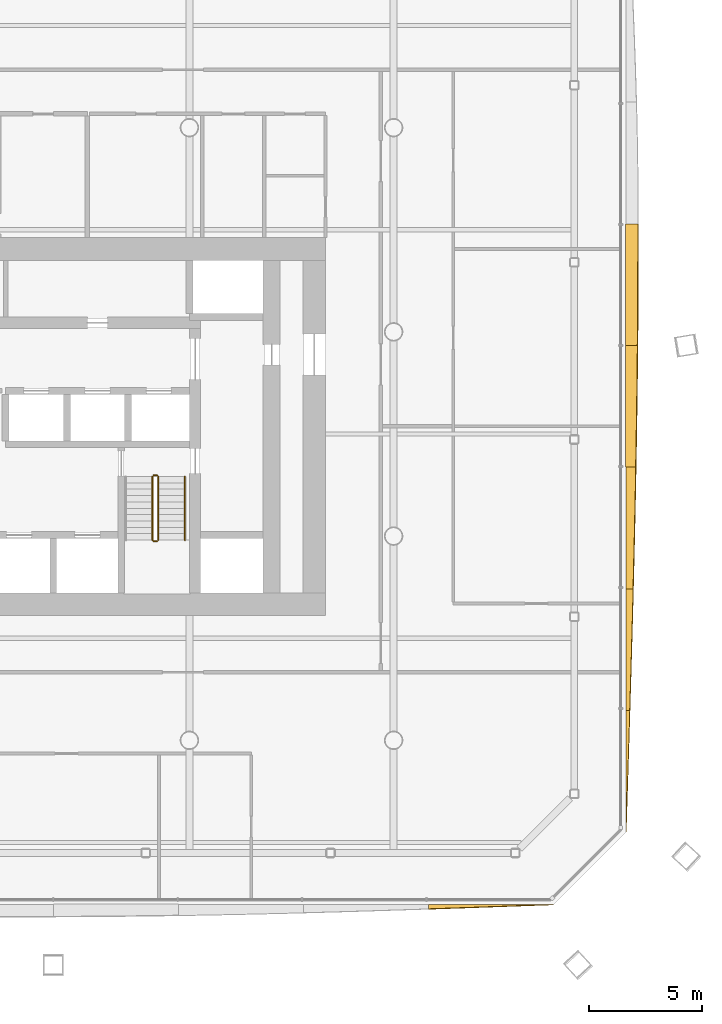
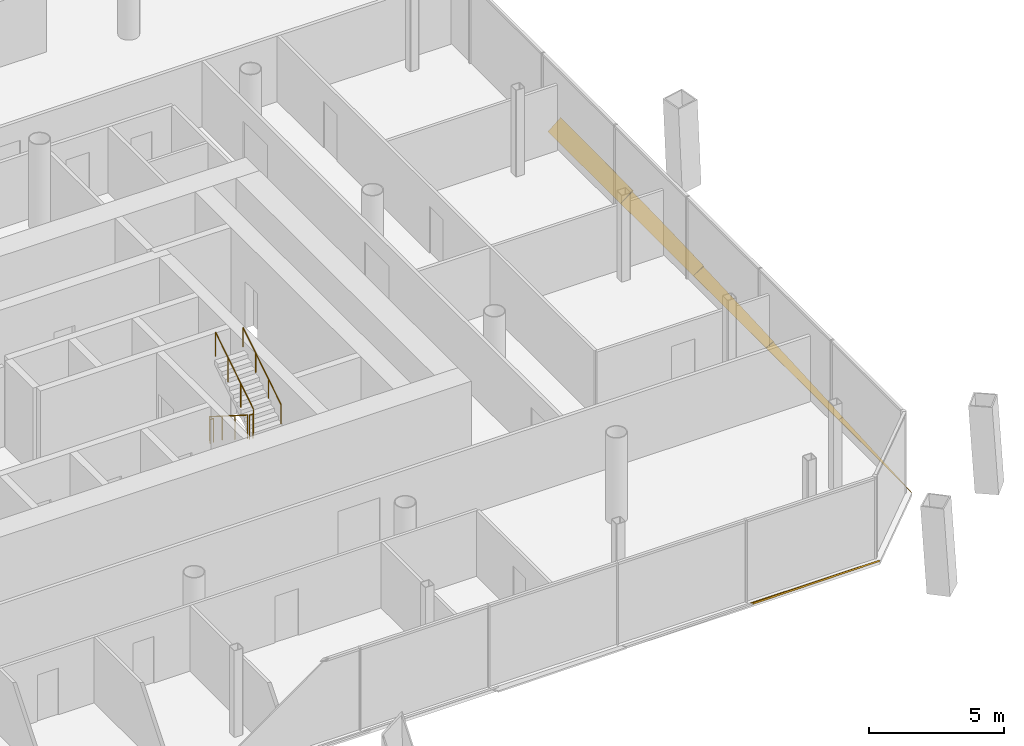
# One storey, part 17 of 19: 6 shading devices, 5 railings.
"""IFC4 building model written with IfcOpenShell, lengths in metres."""

import ifcopenshell
import ifcopenshell.guid

model = None  # the IFC model being written
_history = None  # IfcOwnerHistory: only IFC2X3 demands one
_inside = {}  # id of a spatial element -> (the spatial element, [elements in it])
_under = {}  # id of a project, library or spatial element -> (it, [spatial elements below it])
_declared = {}  # id of a project -> (the project, [libraries it declares])
_typed = {}  # id of a type object -> (the type object, [elements of that type])
_made_of = {}  # id of a material, layer set ... -> (it, [elements and type objects made of it])


def new_model(schema):
    """Start an empty IFC model of exactly this schema.

    Asked for "IFC4X3", IfcOpenShell would pick the latest addendum, in which some entities
    have other attributes; the version numbers below select the first issue.
    IFC2X3 requires an IfcOwnerHistory on every rooted entity: one is made here for all.
    """
    global model, _history
    if schema == "IFC4X3":
        model = ifcopenshell.file(schema_version=(4, 3, 0, 0))
    else:
        model = ifcopenshell.file(schema=schema)
    _inside.clear()
    _under.clear()
    _declared.clear()
    _typed.clear()
    _made_of.clear()
    _history = None
    if model.schema == "IFC2X3":
        org = make("IfcOrganization", Name="unknown")
        user = make(
            "IfcPersonAndOrganization",
            ThePerson=make("IfcPerson", FamilyName="unknown"),
            TheOrganization=org,
        )
        app = make(
            "IfcApplication",
            ApplicationDeveloper=org,
            Version="unknown",
            ApplicationFullName="unknown",
            ApplicationIdentifier="unknown",
        )
        _history = make(
            "IfcOwnerHistory",
            OwningUser=user,
            OwningApplication=app,
            ChangeAction="ADDED",
            CreationDate=0,
        )
    return model


def make(cls, **values):
    """One entity of the class cls with the attributes given. An attribute that is None is left unset."""
    return model.create_entity(
        cls, **{name: value for name, value in values.items() if value is not None}
    )


def rooted(cls, **values):
    """An entity with a GlobalId (a new one), such as an element, a storey or a relation."""
    return make(cls, GlobalId=ifcopenshell.guid.new(), OwnerHistory=_history, **values)


def si_unit(unit_type, name, prefix=None):
    """IfcSIUnit, for example si_unit("LENGTHUNIT", "METRE", prefix="MILLI")."""
    return make("IfcSIUnit", UnitType=unit_type, Prefix=prefix, Name=name)


def assignment(units):
    """IfcUnitAssignment: the units of a project."""
    return None if units is None else make("IfcUnitAssignment", Units=units)


def point(xyz):
    """IfcCartesianPoint."""
    return None if xyz is None else make("IfcCartesianPoint", Coordinates=xyz)


def direction(xyz):
    """IfcDirection."""
    return None if xyz is None else make("IfcDirection", DirectionRatios=xyz)


def frame(location, z_axis=None, x_axis=None):
    """IfcAxis2Placement3D, a coordinate frame: its origin and axes. An axis left out is left unset."""
    return make(
        "IfcAxis2Placement3D",
        Location=point(location),
        Axis=direction(z_axis),
        RefDirection=direction(x_axis),
    )


def frame_2d(location, x_axis=None):
    """IfcAxis2Placement2D, a coordinate frame in the plane: its origin and x axis."""
    return make(
        "IfcAxis2Placement2D", Location=point(location), RefDirection=direction(x_axis)
    )


def origin():
    """The frame at (0, 0, 0) with its axes left unset."""
    return frame((0.0, 0.0, 0.0))


def origin_2d():
    """The frame at (0, 0) in the plane with its x axis left unset."""
    return frame_2d((0.0, 0.0))


def place(relative_to, where):
    """IfcLocalPlacement: puts the frame where relative to a parent placement (None: the world)."""
    return make(
        "IfcLocalPlacement", PlacementRelTo=relative_to, RelativePlacement=where
    )


def context(
    kind, dimensions, precision=None, world=None, true_north=None, identifier=None
):
    """IfcGeometricRepresentationContext, for example the 3D "Model" context."""
    return make(
        "IfcGeometricRepresentationContext",
        ContextIdentifier=identifier,
        ContextType=kind,
        CoordinateSpaceDimension=dimensions,
        Precision=precision,
        WorldCoordinateSystem=world,
        TrueNorth=true_north,
    )


def subcontext(parent, identifier, kind, view, scale=None):
    """IfcGeometricRepresentationSubContext, for example "Body" below "Model"."""
    return make(
        "IfcGeometricRepresentationSubContext",
        ContextIdentifier=identifier,
        ContextType=kind,
        ParentContext=parent,
        TargetScale=scale,
        TargetView=view,
    )


def project(units=None, contexts=None):
    """IfcProject with its units and contexts."""
    return rooted(
        "IfcProject",
        Name="project",
        RepresentationContexts=contexts,
        UnitsInContext=assignment(units),
    )


def spatial(cls, under=None, at=None, **own):
    """A site, building, storey or space (cls), placed at a placement, below another one or the project."""
    s = rooted(cls, ObjectPlacement=at, **own)
    if under is not None:
        _under.setdefault(under.id(), (under, []))[1].append(s)
    return s


def polyline(points):
    """IfcPolyline through the points."""
    return make("IfcPolyline", Points=[point(p) for p in points])


def profile(cls, at=None, kind="AREA", **sizes):
    """A parametric profile (cls). Its sizes go by their IFC names, for example OverallWidth=200.0."""
    return make(cls, ProfileType=kind, Position=at, **sizes)


def circle(**sizes):
    """IfcCircleProfileDef."""
    return profile("IfcCircleProfileDef", **sizes)


def outline(outer, holes=None, kind="AREA"):
    """IfcArbitraryClosedProfileDef: a profile drawn as a closed curve; with holes, ...WithVoids."""
    if holes is None:
        return make("IfcArbitraryClosedProfileDef", ProfileType=kind, OuterCurve=outer)
    return make(
        "IfcArbitraryProfileDefWithVoids",
        ProfileType=kind,
        OuterCurve=outer,
        InnerCurves=holes,
    )


def extrude(swept, where, along, depth):
    """IfcExtrudedAreaSolid: the profile swept, set in the frame where, extruded along a direction by depth."""
    return make(
        "IfcExtrudedAreaSolid",
        SweptArea=swept,
        Position=where,
        ExtrudedDirection=direction(along),
        Depth=depth,
    )


def shape(context_of_items, identifier, shape_type, items):
    """IfcShapeRepresentation: the items that make up one representation, for example the "Body"."""
    return make(
        "IfcShapeRepresentation",
        ContextOfItems=context_of_items,
        RepresentationIdentifier=identifier,
        RepresentationType=shape_type,
        Items=items,
    )


def material(Name=None, Category=None):
    """IfcMaterial."""
    return make("IfcMaterial", Name=Name, Category=Category)


def layer(
    of_material, thickness, ventilated=None, Name=None, Category=None, Priority=None
):
    """IfcMaterialLayer: one layer of a wall or slab, of a material (None: an air gap)."""
    return make(
        "IfcMaterialLayer",
        Material=of_material,
        LayerThickness=thickness,
        IsVentilated=ventilated,
        Name=Name,
        Category=Category,
        Priority=Priority,
    )


def layer_set(layers, Name=None):
    """IfcMaterialLayerSet."""
    return make("IfcMaterialLayerSet", MaterialLayers=layers, LayerSetName=Name)


def made_of(thing, what):
    """Note that an element or type object is made of a material, layer set ...; save() writes the relation."""
    if what is not None:
        _made_of.setdefault(what.id(), (what, []))[1].append(thing)
    return thing


def type_object(cls, material=None, **own):
    """A type object (cls), such as IfcWallType, which elements share."""
    return made_of(rooted(cls, **own), material)


def element(
    cls,
    number,
    at=None,
    inside=None,
    cuts=None,
    type_object=None,
    material=None,
    context=None,
    identifier="Body",
    shape_type=None,
    held_by="IfcProductDefinitionShape",
    body=None,
    shapes=None,
    **own,
):
    """One element of the class cls, such as IfcWall. Its Tag is "e" and its number.

    at: its placement. inside: the storey or other place that contains it. cuts: it is an
    opening in that element (IfcRelVoidsElement). A single representation is given by context,
    identifier, shape_type and body (its items); several are given by shapes. held_by: the class
    of the entity that holds the representations. save() writes the other relations.
    """
    e = rooted(cls, Tag="e%d" % number, ObjectPlacement=at, **own)
    if body is not None:
        shapes = [shape(context, identifier, shape_type, body)]
    if shapes is not None:
        e.Representation = make(held_by, Representations=shapes)
    if inside is not None:
        _inside.setdefault(inside.id(), (inside, []))[1].append(e)
    if cuts is not None:
        rooted(
            "IfcRelVoidsElement", RelatingBuildingElement=cuts, RelatedOpeningElement=e
        )
    if type_object is not None:
        _typed.setdefault(type_object.id(), (type_object, []))[1].append(e)
    return made_of(e, material)


def aggregate(whole, parts):
    """IfcRelAggregates: a whole, such as a stair, and the parts it consists of."""
    return rooted("IfcRelAggregates", RelatingObject=whole, RelatedObjects=parts)


def save(model, path):
    """Write the relations noted so far, then the file.

    IfcRelAggregates (storeys below a building ...), IfcRelContainedInSpatialStructure (elements
    in a storey), IfcRelDefinesByType, IfcRelAssociatesMaterial and IfcRelDeclares: one each for
    every whole, place, type object, material and project.
    """
    for whole, parts in _under.values():
        aggregate(whole, parts)
    for where, things in _inside.values():
        rooted(
            "IfcRelContainedInSpatialStructure",
            RelatedElements=things,
            RelatingStructure=where,
        )
    for kind, things in _typed.values():
        rooted("IfcRelDefinesByType", RelatedObjects=things, RelatingType=kind)
    for what, things in _made_of.values():
        rooted("IfcRelAssociatesMaterial", RelatedObjects=things, RelatingMaterial=what)
    for by, libraries in _declared.values():
        rooted("IfcRelDeclares", RelatingContext=by, RelatedDefinitions=libraries)
    model.write(path)


model = new_model("IFC4")

# Units and contexts
model_context = context("Model", 3, precision=1e-05, world=origin(), true_north=direction((0.0, 1.0)))
body_context = subcontext(model_context, "Body", "Model", "MODEL_VIEW")
ifc_project = project(units=[si_unit("LENGTHUNIT", "METRE"), si_unit("AREAUNIT", "SQUARE_METRE"), si_unit("VOLUMEUNIT", "CUBIC_METRE"), si_unit("PLANEANGLEUNIT", "RADIAN"), si_unit("MASSUNIT", "GRAM", prefix="KILO")], contexts=[model_context])

# Site, building, storey
site_placement = place(None, origin())
site = spatial("IfcSite", under=ifc_project, at=site_placement, CompositionType="ELEMENT")
building_placement = place(site_placement, origin())
building = spatial("IfcBuilding", under=site, at=building_placement, Name="Tskaro Facet Tower", CompositionType="ELEMENT")
storey_placement = place(building_placement, frame((0.0, 0.0, 77.699951171875)))
storey = spatial("IfcBuildingStorey", under=building, at=storey_placement, Name="L18", CompositionType="ELEMENT", Elevation=77.699951171875)

# Shading devices
ifc_material_1 = material(Name="Bronze anodised aluminium 6063-T6", Category="aluminium")
ifc_layer = layer(ifc_material_1, 0.06005859375, Name="Bronze anodised aluminium 6063-T6")
ifc_layer_set = layer_set([ifc_layer], Name="Bronze anodised aluminium 6063-T6")
shading_device_type = type_object("IfcShadingDeviceType", Name="Bronze sun blade (FN1)", PredefinedType="USERDEFINED", material=ifc_layer_set)
shading_device_1_placement = place(storey_placement, frame((19.5322265625, -25.23095703125, 0.052001953125), z_axis=(-2.228743e-06, 0.500139383152, 0.865944915924), x_axis=(0.999999999998, 1.114682e-06, 1.929969e-06)))
element("IfcShadingDevice", 1, at=shading_device_1_placement, inside=storey, type_object=shading_device_type, Name="Fin blade south 8", ObjectType="FIN", PredefinedType="USERDEFINED", context=body_context, shape_type="SweptSolid", body=[
    extrude(outline(polyline([(0.0, 0.0), (5.510742187486313, 0.0), (4.822021484404667, -0.028768214118787258), (4.133056640698022, -0.057536428237574516), (3.4443359376163762, -0.08630464235636176), (2.7553710937106866, -0.114739339800569), (2.0666503907021356, -0.14296262491178632), (1.3776855468695401, -0.17085239334842361), (0.6889648434628999, -0.1984086451104809), (-2.4461417658610945e-11, -0.2255420722065584), (0.0, 0.0)])), origin(), (0.0, 0.0, -1.0), 0.06005859375),
])
shading_device_2_placement = place(storey_placement, frame((28.240478515625, -22.04296875, 0.056396484375), z_axis=(-0.342123804388, 2.1286716e-05, 0.939654884528), x_axis=(7.282692e-06, 0.999999999773, -2.0002167e-05)))
element("IfcShadingDevice", 2, at=shading_device_2_placement, inside=storey, type_object=shading_device_type, Name="Fin blade east 1", ObjectType="FIN", PredefinedType="USERDEFINED", context=body_context, shape_type="SweptSolid", body=[
    extrude(outline(polyline([(0.0, 0.0), (5.361328123785326, 0.0), (5.361328126214675, -0.17871423628377453), (4.691162107889665, -0.1569381805093048), (4.020996094447998, -0.1350785984153854), (3.350830077450328, -0.11276020045977599), (2.6806640604526586, -0.0904418025041666), (2.0104980483383303, -0.06803987822910751), (1.3403320295626595, -0.04549207234265313), (0.6701660138923292, -0.022631332205904072), (0.0, 0.0)])), origin(), (0.0, 0.0, -1.0), 0.06005859375),
])
shading_device_3_placement = place(storey_placement, frame((28.235595703125, -16.681640625, 0.054443359375), z_axis=(-0.422512361099, 1.1387096e-05, 0.906357161713), x_axis=(4.811189e-06, 0.999999999935, -1.0320776e-05)))
element("IfcShadingDevice", 3, at=shading_device_3_placement, inside=storey, type_object=shading_device_type, Name="Fin blade east 2", ObjectType="FIN", PredefinedType="USERDEFINED", context=body_context, shape_type="SweptSolid", body=[
    extrude(outline(polyline([(0.0, 0.0), (5.36132812465241, 0.0), (5.361328125353385, -0.352030966396968), (4.6911621095255445, -0.33291615526342716), (4.020996092693606, -0.31303435588612605), (3.350830077206781, -0.29282812547296105), (2.6806640618904636, -0.2720761854199839), (2.0104980479192602, -0.2509998143311428), (1.3403320315988436, -0.22948088603440536), (0.6701660154489344, -0.20741624809785578), (-7.009749522126141e-10, -0.1853516101613062), (0.0, 0.0)])), origin(), (0.0, 0.0, -1.0), 0.06005859375),
])
shading_device_4_placement = place(storey_placement, frame((28.23095703125, -11.3203125, 0.052001953125), z_axis=(-0.499956000459, 1.6746589e-05, 0.866050805279), x_axis=(8.372558e-06, 0.99999999986, -1.4503397e-05)))
element("IfcShadingDevice", 4, at=shading_device_4_placement, inside=storey, type_object=shading_device_type, Name="Fin blade east 3", ObjectType="FIN", PredefinedType="USERDEFINED", context=body_context, shape_type="SweptSolid", body=[
    extrude(outline(polyline([(0.0, 0.0), (5.361328124248213, 9.082443125832244e-21), (5.361328125582085, -0.5065301928353199), (4.691162107940793, -0.4916621819217208), (4.020996093293072, -0.47612717549741373), (3.35083007809806, -0.4600472331328405), (2.680664063852539, -0.44308885707264717), (2.0104980470156417, -0.42537410688727556), (1.3403320296314507, -0.40711442076163773), (0.6701660152408333, -0.38818773912529203), (-1.7411603171923852e-09, -0.36850468336376796), (0.0, 0.0)])), origin(), (0.0, 0.0, -1.0), 0.06005859375),
])
shading_device_5_placement = place(storey_placement, frame((28.2265625, -5.958984375, 0.04931640625), z_axis=(-0.573471077876, -5.232117e-06, 0.819225806974), x_axis=(-3.000468e-06, 0.999999999986, 4.286285e-06)))
element("IfcShadingDevice", 5, at=shading_device_5_placement, inside=storey, type_object=shading_device_type, Name="Fin blade east 4", ObjectType="FIN", PredefinedType="USERDEFINED", context=body_context, shape_type="SweptSolid", body=[
    extrude(outline(polyline([(0.0, 0.0), (5.361572265551613, 0.0), (5.361572265621236, -0.6279244666007644), (4.691406249587292, -0.619524138438346), (4.0212402347045, -0.610383783786953), (3.3510742188799463, -0.6002233874718376), (2.680908202846168, -0.588842943192466), (2.010742187231006, -0.5769224787246534), (1.3403320318280783, -0.5639219738799588), (0.6701660153758509, -0.5501014336720752), (-2.391451589449149e-10, -0.5352008530873095), (0.0, 0.0)])), origin(), (0.0, 0.0, -1.0), 0.06005859375),
])
shading_device_6_placement = place(storey_placement, frame((28.222412109375, -0.597412109375, 0.0458984375), z_axis=(-0.642853496986, -4.008056e-06, 0.765989152271), x_axis=(-2.576593e-06, 0.999999999992, 3.070127e-06)))
element("IfcShadingDevice", 6, at=shading_device_6_placement, inside=storey, type_object=shading_device_type, Name="Fin blade east 5", ObjectType="FIN", PredefinedType="USERDEFINED", context=body_context, shape_type="SweptSolid", body=[
    extrude(outline(polyline([(0.0, 0.0), (5.361328124956937, -2.270610781458061e-21), (5.36132812491523, -0.7037381782598934), (5.1467285155419535, -0.7037381782598934), (4.691162109295612, -0.7037381782598934), (4.020996093823079, -0.7021753462898371), (3.350830078109562, -0.6999246028699428), (2.6806640626636202, -0.6964549832049115), (2.0104980468562026, -0.6919534963651229), (1.340332031316361, -0.6862331332801972), (0.6701660154150437, -0.6794809030205144), (-2.1869829648151608e-10, -0.6715097965156944), (0.0, 0.0)])), origin(), (0.0, 0.0, -1.0), 0.06005859375),
])

# Railings
ifc_material_2 = material(Name="Stainless steel", Category="steel")
railing_type_1 = type_object("IfcRailingType", Name="RL-GUARD-1100", PredefinedType="GUARDRAIL", material=ifc_material_2)
railing_1_placement = place(storey_placement, frame((7.375, -6.375, 0.17724609375)))
element("IfcRailing", 7, at=railing_1_placement, inside=storey, type_object=railing_type_1, Name="L18 ST-2 stair guard 1", PredefinedType="GUARDRAIL", context=body_context, shape_type="SweptSolid", body=[
    extrude(circle(Radius=0.02392578125, at=origin_2d()), frame((0.0, 0.0, 1.076171875), z_axis=(0.0, -0.844908973607, 0.534910110503), x_axis=(1.0, 0.0, 0.0)), (0.0, 0.0, 1.0), 3.31396484375),
    extrude(circle(Radius=0.02099609375, at=origin_2d()), origin(), (0.0, 0.0, 1.0), 1.052001953125),
    extrude(circle(Radius=0.02099609375, at=origin_2d()), frame((0.0, -0.933349609375, 0.5908203125)), (0.0, 0.0, 1.0), 1.052001953125),
    extrude(circle(Radius=0.02099609375, at=origin_2d()), frame((0.0, -1.86669921875, 1.181884765625)), (0.0, 0.0, 1.0), 1.052001953125),
    extrude(circle(Radius=0.02099609375, at=origin_2d()), frame((0.0, -2.800048828125, 1.772705078125)), (0.0, 0.0, 1.0), 1.052001953125),
])
railing_2_placement = place(storey_placement, frame((7.425048828125, -9.22509765625, 1.949951171875)))
element("IfcRailing", 8, at=railing_2_placement, inside=storey, type_object=railing_type_1, Name="L18 ST-2 stair guard 2", PredefinedType="GUARDRAIL", context=body_context, shape_type="SweptSolid", body=[
    extrude(circle(Radius=0.02392578125, at=origin_2d()), frame((0.0, 0.0, 1.076171875), z_axis=(1.0, 0.0, 0.0), x_axis=(0.0, 1.0, 0.0)), (0.0, 0.0, 1.0), 0.14990234375),
    extrude(circle(Radius=0.02099609375, at=origin_2d()), origin(), (0.0, 0.0, 1.0), 1.052001953125),
    extrude(circle(Radius=0.02099609375, at=origin_2d()), frame((0.14990234375, 0.0, 0.0)), (0.0, 0.0, 1.0), 1.052001953125),
])
railing_3_placement = place(storey_placement, frame((7.625, -9.175048828125, 2.12744140625)))
element("IfcRailing", 9, at=railing_3_placement, inside=storey, type_object=railing_type_1, Name="L18 ST-2 stair guard 3", PredefinedType="GUARDRAIL", context=body_context, shape_type="SweptSolid", body=[
    extrude(circle(Radius=0.02392578125, at=origin_2d()), frame((0.0, 0.0, 1.076171875), z_axis=(0.0, 0.844908973607, 0.534910110503), x_axis=(-1.0, 0.0, 0.0)), (0.0, 0.0, 1.0), 3.31396484375),
    extrude(circle(Radius=0.02099609375, at=origin_2d()), origin(), (0.0, 0.0, 1.0), 1.052001953125),
    extrude(circle(Radius=0.02099609375, at=origin_2d()), frame((0.0, 0.933349609375, 0.5908203125)), (0.0, 0.0, 1.0), 1.052001953125),
    extrude(circle(Radius=0.02099609375, at=origin_2d()), frame((0.0, 1.86669921875, 1.181884765625)), (0.0, 0.0, 1.0), 1.052001953125),
    extrude(circle(Radius=0.02099609375, at=origin_2d()), frame((0.0, 2.800048828125, 1.772705078125)), (0.0, 0.0, 1.0), 1.052001953125),
])
railing_4_placement = place(storey_placement, frame((7.425048828125, -6.324951171875, 0.0)))
element("IfcRailing", 10, at=railing_4_placement, inside=storey, type_object=railing_type_1, Name="L18 ST-2 stair guard 4", PredefinedType="GUARDRAIL", context=body_context, shape_type="SweptSolid", body=[
    extrude(circle(Radius=0.02392578125, at=origin_2d()), frame((0.0, 0.0, 1.076171875), z_axis=(1.0, 0.0, 0.0), x_axis=(0.0, 1.0, 0.0)), (0.0, 0.0, 1.0), 0.14990234375),
    extrude(circle(Radius=0.02099609375, at=origin_2d()), origin(), (0.0, 0.0, 1.0), 1.052001953125),
    extrude(circle(Radius=0.02099609375, at=origin_2d()), frame((0.14990234375, 0.0, 0.0)), (0.0, 0.0, 1.0), 1.052001953125),
])
railing_type_2 = type_object("IfcRailingType", Name="RL-HANDRAIL-900", PredefinedType="HANDRAIL", material=ifc_material_2)
railing_5_placement = place(storey_placement, frame((8.800048828125, -9.175048828125, 2.12744140625)))
element("IfcRailing", 11, at=railing_5_placement, inside=storey, type_object=railing_type_2, Name="L18 ST-2 stair handrail 2", PredefinedType="HANDRAIL", context=body_context, shape_type="SweptSolid", body=[
    extrude(circle(Radius=0.02392578125, at=origin_2d()), frame((0.0, 0.0, 0.8759765625), z_axis=(0.0, 0.844908973607, 0.534910110503), x_axis=(-1.0, 0.0, 0.0)), (0.0, 0.0, 1.0), 3.31396484375),
    extrude(circle(Radius=0.02099609375, at=origin_2d()), origin(), (0.0, 0.0, 1.0), 0.851806640625),
    extrude(circle(Radius=0.02099609375, at=origin_2d()), frame((0.0, 0.933349609375, 0.5908203125)), (0.0, 0.0, 1.0), 0.851806640625),
    extrude(circle(Radius=0.02099609375, at=origin_2d()), frame((0.0, 1.86669921875, 1.181884765625)), (0.0, 0.0, 1.0), 0.851806640625),
    extrude(circle(Radius=0.02099609375, at=origin_2d()), frame((0.0, 2.800048828125, 1.772705078125)), (0.0, 0.0, 1.0), 0.851806640625),
])

save(model, "model.ifc")
